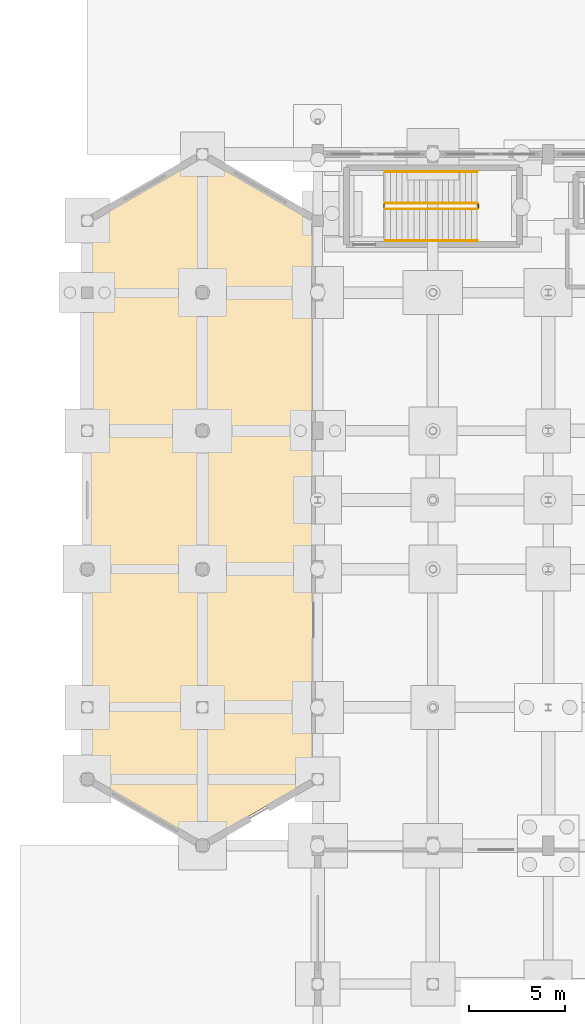
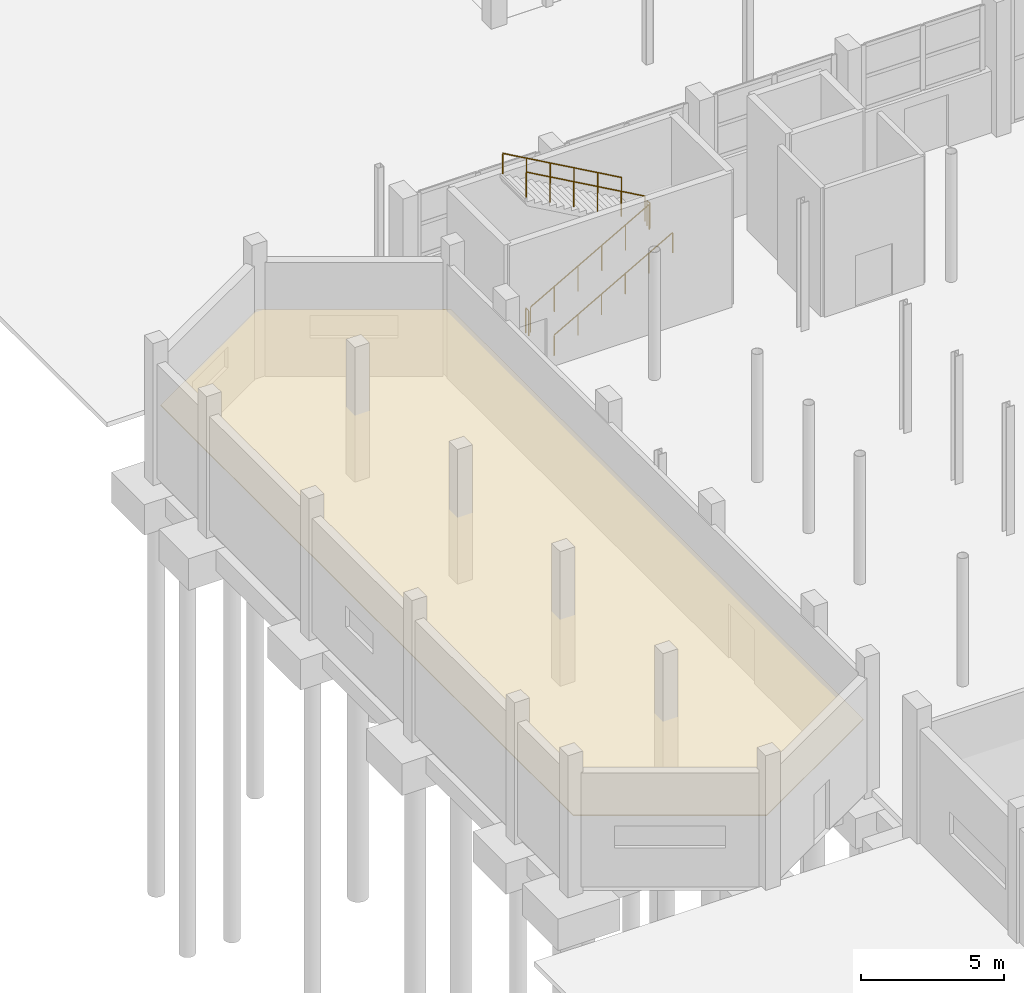
# One storey, part 95 of 103: 6 railings, 1 covering.
"""IFC4 building model written with IfcOpenShell, lengths in metres."""

import ifcopenshell
import ifcopenshell.guid

model = None  # the IFC model being written
_history = None  # IfcOwnerHistory: only IFC2X3 demands one
_inside = {}  # id of a spatial element -> (the spatial element, [elements in it])
_under = {}  # id of a project, library or spatial element -> (it, [spatial elements below it])
_declared = {}  # id of a project -> (the project, [libraries it declares])
_typed = {}  # id of a type object -> (the type object, [elements of that type])
_made_of = {}  # id of a material, layer set ... -> (it, [elements and type objects made of it])


def new_model(schema):
    """Start an empty IFC model of exactly this schema.

    Asked for "IFC4X3", IfcOpenShell would pick the latest addendum, in which some entities
    have other attributes; the version numbers below select the first issue.
    IFC2X3 requires an IfcOwnerHistory on every rooted entity: one is made here for all.
    """
    global model, _history
    if schema == "IFC4X3":
        model = ifcopenshell.file(schema_version=(4, 3, 0, 0))
    else:
        model = ifcopenshell.file(schema=schema)
    _inside.clear()
    _under.clear()
    _declared.clear()
    _typed.clear()
    _made_of.clear()
    _history = None
    if model.schema == "IFC2X3":
        org = make("IfcOrganization", Name="unknown")
        user = make(
            "IfcPersonAndOrganization",
            ThePerson=make("IfcPerson", FamilyName="unknown"),
            TheOrganization=org,
        )
        app = make(
            "IfcApplication",
            ApplicationDeveloper=org,
            Version="unknown",
            ApplicationFullName="unknown",
            ApplicationIdentifier="unknown",
        )
        _history = make(
            "IfcOwnerHistory",
            OwningUser=user,
            OwningApplication=app,
            ChangeAction="ADDED",
            CreationDate=0,
        )
    return model


def make(cls, **values):
    """One entity of the class cls with the attributes given. An attribute that is None is left unset."""
    return model.create_entity(
        cls, **{name: value for name, value in values.items() if value is not None}
    )


def rooted(cls, **values):
    """An entity with a GlobalId (a new one), such as an element, a storey or a relation."""
    return make(cls, GlobalId=ifcopenshell.guid.new(), OwnerHistory=_history, **values)


def si_unit(unit_type, name, prefix=None):
    """IfcSIUnit, for example si_unit("LENGTHUNIT", "METRE", prefix="MILLI")."""
    return make("IfcSIUnit", UnitType=unit_type, Prefix=prefix, Name=name)


def assignment(units):
    """IfcUnitAssignment: the units of a project."""
    return None if units is None else make("IfcUnitAssignment", Units=units)


def point(xyz):
    """IfcCartesianPoint."""
    return None if xyz is None else make("IfcCartesianPoint", Coordinates=xyz)


def direction(xyz):
    """IfcDirection."""
    return None if xyz is None else make("IfcDirection", DirectionRatios=xyz)


def frame(location, z_axis=None, x_axis=None):
    """IfcAxis2Placement3D, a coordinate frame: its origin and axes. An axis left out is left unset."""
    return make(
        "IfcAxis2Placement3D",
        Location=point(location),
        Axis=direction(z_axis),
        RefDirection=direction(x_axis),
    )


def frame_2d(location, x_axis=None):
    """IfcAxis2Placement2D, a coordinate frame in the plane: its origin and x axis."""
    return make(
        "IfcAxis2Placement2D", Location=point(location), RefDirection=direction(x_axis)
    )


def origin():
    """The frame at (0, 0, 0) with its axes left unset."""
    return frame((0.0, 0.0, 0.0))


def origin_2d():
    """The frame at (0, 0) in the plane with its x axis left unset."""
    return frame_2d((0.0, 0.0))


def place(relative_to, where):
    """IfcLocalPlacement: puts the frame where relative to a parent placement (None: the world)."""
    return make(
        "IfcLocalPlacement", PlacementRelTo=relative_to, RelativePlacement=where
    )


def context(
    kind, dimensions, precision=None, world=None, true_north=None, identifier=None
):
    """IfcGeometricRepresentationContext, for example the 3D "Model" context."""
    return make(
        "IfcGeometricRepresentationContext",
        ContextIdentifier=identifier,
        ContextType=kind,
        CoordinateSpaceDimension=dimensions,
        Precision=precision,
        WorldCoordinateSystem=world,
        TrueNorth=true_north,
    )


def subcontext(parent, identifier, kind, view, scale=None):
    """IfcGeometricRepresentationSubContext, for example "Body" below "Model"."""
    return make(
        "IfcGeometricRepresentationSubContext",
        ContextIdentifier=identifier,
        ContextType=kind,
        ParentContext=parent,
        TargetScale=scale,
        TargetView=view,
    )


def project(units=None, contexts=None):
    """IfcProject with its units and contexts."""
    return rooted(
        "IfcProject",
        Name="project",
        RepresentationContexts=contexts,
        UnitsInContext=assignment(units),
    )


def spatial(cls, under=None, at=None, **own):
    """A site, building, storey or space (cls), placed at a placement, below another one or the project."""
    s = rooted(cls, ObjectPlacement=at, **own)
    if under is not None:
        _under.setdefault(under.id(), (under, []))[1].append(s)
    return s


def polyline(points):
    """IfcPolyline through the points."""
    return make("IfcPolyline", Points=[point(p) for p in points])


def profile(cls, at=None, kind="AREA", **sizes):
    """A parametric profile (cls). Its sizes go by their IFC names, for example OverallWidth=200.0."""
    return make(cls, ProfileType=kind, Position=at, **sizes)


def circle(**sizes):
    """IfcCircleProfileDef."""
    return profile("IfcCircleProfileDef", **sizes)


def outline(outer, holes=None, kind="AREA"):
    """IfcArbitraryClosedProfileDef: a profile drawn as a closed curve; with holes, ...WithVoids."""
    if holes is None:
        return make("IfcArbitraryClosedProfileDef", ProfileType=kind, OuterCurve=outer)
    return make(
        "IfcArbitraryProfileDefWithVoids",
        ProfileType=kind,
        OuterCurve=outer,
        InnerCurves=holes,
    )


def extrude(swept, where, along, depth):
    """IfcExtrudedAreaSolid: the profile swept, set in the frame where, extruded along a direction by depth."""
    return make(
        "IfcExtrudedAreaSolid",
        SweptArea=swept,
        Position=where,
        ExtrudedDirection=direction(along),
        Depth=depth,
    )


def shape(context_of_items, identifier, shape_type, items):
    """IfcShapeRepresentation: the items that make up one representation, for example the "Body"."""
    return make(
        "IfcShapeRepresentation",
        ContextOfItems=context_of_items,
        RepresentationIdentifier=identifier,
        RepresentationType=shape_type,
        Items=items,
    )


def material(Name=None, Category=None):
    """IfcMaterial."""
    return make("IfcMaterial", Name=Name, Category=Category)


def layer(
    of_material, thickness, ventilated=None, Name=None, Category=None, Priority=None
):
    """IfcMaterialLayer: one layer of a wall or slab, of a material (None: an air gap)."""
    return make(
        "IfcMaterialLayer",
        Material=of_material,
        LayerThickness=thickness,
        IsVentilated=ventilated,
        Name=Name,
        Category=Category,
        Priority=Priority,
    )


def layer_set(layers, Name=None):
    """IfcMaterialLayerSet."""
    return make("IfcMaterialLayerSet", MaterialLayers=layers, LayerSetName=Name)


def made_of(thing, what):
    """Note that an element or type object is made of a material, layer set ...; save() writes the relation."""
    if what is not None:
        _made_of.setdefault(what.id(), (what, []))[1].append(thing)
    return thing


def type_object(cls, material=None, **own):
    """A type object (cls), such as IfcWallType, which elements share."""
    return made_of(rooted(cls, **own), material)


def element(
    cls,
    number,
    at=None,
    inside=None,
    cuts=None,
    type_object=None,
    material=None,
    context=None,
    identifier="Body",
    shape_type=None,
    held_by="IfcProductDefinitionShape",
    body=None,
    shapes=None,
    **own,
):
    """One element of the class cls, such as IfcWall. Its Tag is "e" and its number.

    at: its placement. inside: the storey or other place that contains it. cuts: it is an
    opening in that element (IfcRelVoidsElement). A single representation is given by context,
    identifier, shape_type and body (its items); several are given by shapes. held_by: the class
    of the entity that holds the representations. save() writes the other relations.
    """
    e = rooted(cls, Tag="e%d" % number, ObjectPlacement=at, **own)
    if body is not None:
        shapes = [shape(context, identifier, shape_type, body)]
    if shapes is not None:
        e.Representation = make(held_by, Representations=shapes)
    if inside is not None:
        _inside.setdefault(inside.id(), (inside, []))[1].append(e)
    if cuts is not None:
        rooted(
            "IfcRelVoidsElement", RelatingBuildingElement=cuts, RelatedOpeningElement=e
        )
    if type_object is not None:
        _typed.setdefault(type_object.id(), (type_object, []))[1].append(e)
    return made_of(e, material)


def aggregate(whole, parts):
    """IfcRelAggregates: a whole, such as a stair, and the parts it consists of."""
    return rooted("IfcRelAggregates", RelatingObject=whole, RelatedObjects=parts)


def save(model, path):
    """Write the relations noted so far, then the file.

    IfcRelAggregates (storeys below a building ...), IfcRelContainedInSpatialStructure (elements
    in a storey), IfcRelDefinesByType, IfcRelAssociatesMaterial and IfcRelDeclares: one each for
    every whole, place, type object, material and project.
    """
    for whole, parts in _under.values():
        aggregate(whole, parts)
    for where, things in _inside.values():
        rooted(
            "IfcRelContainedInSpatialStructure",
            RelatedElements=things,
            RelatingStructure=where,
        )
    for kind, things in _typed.values():
        rooted("IfcRelDefinesByType", RelatedObjects=things, RelatingType=kind)
    for what, things in _made_of.values():
        rooted("IfcRelAssociatesMaterial", RelatedObjects=things, RelatingMaterial=what)
    for by, libraries in _declared.values():
        rooted("IfcRelDeclares", RelatingContext=by, RelatedDefinitions=libraries)
    model.write(path)


model = new_model("IFC4")

# Units and contexts
model_context = context("Model", 3, precision=1e-05, world=origin(), true_north=direction((0.0, 1.0)))
body_context = subcontext(model_context, "Body", "Model", "MODEL_VIEW")
ifc_project = project(units=[si_unit("LENGTHUNIT", "METRE"), si_unit("AREAUNIT", "SQUARE_METRE"), si_unit("VOLUMEUNIT", "CUBIC_METRE"), si_unit("PLANEANGLEUNIT", "RADIAN"), si_unit("MASSUNIT", "GRAM", prefix="KILO")], contexts=[model_context])

# Site, building, storey
site_placement = place(None, origin())
site = spatial("IfcSite", under=ifc_project, at=site_placement, CompositionType="ELEMENT")
building_placement = place(site_placement, origin())
building = spatial("IfcBuilding", under=site, at=building_placement, Name="Dunvalen Ferry Terminal", CompositionType="ELEMENT")
storey_placement = place(building_placement, origin())
storey = spatial("IfcBuildingStorey", under=building, at=storey_placement, Name="L00", CompositionType="ELEMENT", Elevation=0.0)

# Covering
ifc_material_1 = material(Name="Perforated marine aluminium acoustic baffle ceiling", Category="aluminium")
ifc_layer = layer(ifc_material_1, 0.0400390625, Name="Perforated marine aluminium acoustic baffle ceiling")
ifc_layer_set = layer_set([ifc_layer], Name="Perforated marine aluminium acoustic baffle ceiling")
covering_type = type_object("IfcCoveringType", Name="INT-COV-CLG01", PredefinedType="CEILING", material=ifc_layer_set)
covering_placement = place(storey_placement, frame((0.0, 0.0, 2.81005859375)))
element("IfcCovering", 1, at=covering_placement, inside=storey, type_object=covering_type, Name="L00 Outbound Baggage Handling Hall Acoustic Suspended Ceiling", PredefinedType="CEILING", context=body_context, shape_type="SweptSolid", body=[
    extrude(outline(polyline([(11.8701171875, 82.86083984375), (6.0, 86.25), (0.1298828125, 82.86083984375), (0.1298828125, 53.939208984375), (6.0, 50.550048828125), (11.8701171875, 53.939208984375), (11.8701171875, 82.86083984375)])), origin(), (0.0, 0.0, 1.0), 0.0400390625),
])

# Railings
ifc_material_2 = material(Name="Painted galvanised steel S275", Category="steel")
railing_type_1 = type_object("IfcRailingType", Name="INT-RL-STGRD", PredefinedType="GUARDRAIL", material=ifc_material_2)
railing_1_placement = place(storey_placement, frame((15.5, 83.550048828125, 0.16943359375)))
element("IfcRailing", 2, at=railing_1_placement, inside=storey, type_object=railing_type_1, Name="L00 ST7 stair guard 1", PredefinedType="GUARDRAIL", context=body_context, shape_type="SweptSolid", body=[
    extrude(circle(Radius=0.02392578125, at=origin_2d()), frame((0.0, 0.0, 1.076171875), z_axis=(0.870766506294, 0.0, 0.491696747514), x_axis=(0.0, 1.0, 0.0)), (0.0, 0.0, 1.0), 5.512451171875),
    extrude(circle(Radius=0.02099609375, at=origin_2d()), origin(), (0.0, 0.0, 1.0), 1.052001953125),
    extrude(circle(Radius=0.02099609375, at=origin_2d()), frame((0.9599609375, 0.0, 0.5419921875)), (0.0, 0.0, 1.0), 1.052001953125),
    extrude(circle(Radius=0.02099609375, at=origin_2d()), frame((1.919921875, 0.0, 1.084228515625)), (0.0, 0.0, 1.0), 1.052001953125),
    extrude(circle(Radius=0.02099609375, at=origin_2d()), frame((2.880126953125, 0.0, 1.626220703125)), (0.0, 0.0, 1.0), 1.052001953125),
    extrude(circle(Radius=0.02099609375, at=origin_2d()), frame((3.840087890625, 0.0, 2.16845703125)), (0.0, 0.0, 1.0), 1.052001953125),
    extrude(circle(Radius=0.02099609375, at=origin_2d()), frame((4.800048828125, 0.0, 2.71044921875)), (0.0, 0.0, 1.0), 1.052001953125),
])
railing_2_placement = place(storey_placement, frame((20.35009765625, 83.60009765625, 2.8798828125)))
element("IfcRailing", 3, at=railing_2_placement, inside=storey, type_object=railing_type_1, Name="L00 ST7 stair guard 2", PredefinedType="GUARDRAIL", context=body_context, shape_type="SweptSolid", body=[
    extrude(circle(Radius=0.02392578125, at=origin_2d()), frame((0.0, 0.0, 1.076171875), z_axis=(0.0, 1.0, 0.0), x_axis=(-1.0, 0.0, 0.0)), (0.0, 0.0, 1.0), 0.199951171875),
    extrude(circle(Radius=0.02099609375, at=origin_2d()), origin(), (0.0, 0.0, 1.0), 1.052001953125),
    extrude(circle(Radius=0.02099609375, at=origin_2d()), frame((0.0, 0.199951171875, 0.0)), (0.0, 0.0, 1.0), 1.052001953125),
])
railing_3_placement = place(storey_placement, frame((20.300048828125, 83.85009765625, 3.04931640625)))
element("IfcRailing", 4, at=railing_3_placement, inside=storey, type_object=railing_type_1, Name="L00 ST7 stair guard 3", PredefinedType="GUARDRAIL", context=body_context, shape_type="SweptSolid", body=[
    extrude(circle(Radius=0.02392578125, at=origin_2d()), frame((0.0, 0.0, 1.076171875), z_axis=(-0.870747543578, 0.0, 0.491730327875), x_axis=(0.0, -1.0, 0.0)), (0.0, 0.0, 1.0), 5.512451171875),
    extrude(circle(Radius=0.02099609375, at=origin_2d()), origin(), (0.0, 0.0, 1.0), 1.052001953125),
    extrude(circle(Radius=0.02099609375, at=origin_2d()), frame((-0.9599609375, 0.0, 0.542236328125)), (0.0, 0.0, 1.0), 1.052001953125),
    extrude(circle(Radius=0.02099609375, at=origin_2d()), frame((-1.919921875, 0.0, 1.084228515625)), (0.0, 0.0, 1.0), 1.052001953125),
    extrude(circle(Radius=0.02099609375, at=origin_2d()), frame((-2.880126953125, 0.0, 1.62646484375)), (0.0, 0.0, 1.0), 1.052001953125),
    extrude(circle(Radius=0.02099609375, at=origin_2d()), frame((-3.840087890625, 0.0, 2.16845703125)), (0.0, 0.0, 1.0), 1.052001953125),
    extrude(circle(Radius=0.02099609375, at=origin_2d()), frame((-4.800048828125, 0.0, 2.710693359375)), (0.0, 0.0, 1.0), 1.052001953125),
])
railing_4_placement = place(storey_placement, frame((15.449951171875, 83.60009765625, 0.0)))
element("IfcRailing", 5, at=railing_4_placement, inside=storey, type_object=railing_type_1, Name="L00 ST7 stair guard 4", PredefinedType="GUARDRAIL", context=body_context, shape_type="SweptSolid", body=[
    extrude(circle(Radius=0.02392578125, at=origin_2d()), frame((0.0, 0.0, 1.076171875), z_axis=(0.0, 1.0, 0.0), x_axis=(-1.0, 0.0, 0.0)), (0.0, 0.0, 1.0), 0.199951171875),
    extrude(circle(Radius=0.02099609375, at=origin_2d()), origin(), (0.0, 0.0, 1.0), 1.052001953125),
    extrude(circle(Radius=0.02099609375, at=origin_2d()), frame((0.0, 0.199951171875, 0.0)), (0.0, 0.0, 1.0), 1.052001953125),
])
ifc_material_3 = material(Name="Brushed 316 stainless steel", Category="steel")
railing_type_2 = type_object("IfcRailingType", Name="INT-RL-STHND", PredefinedType="HANDRAIL", material=ifc_material_3)
railing_5_placement = place(storey_placement, frame((15.5, 81.89990234375, 0.16943359375)))
element("IfcRailing", 6, at=railing_5_placement, inside=storey, type_object=railing_type_2, Name="L00 ST7 stair handrail 1", PredefinedType="HANDRAIL", context=body_context, shape_type="SweptSolid", body=[
    extrude(circle(Radius=0.02392578125, at=origin_2d()), frame((0.0, 0.0, 0.8759765625), z_axis=(0.870766506294, 0.0, 0.491696747514), x_axis=(0.0, 1.0, 0.0)), (0.0, 0.0, 1.0), 5.512451171875),
    extrude(circle(Radius=0.02099609375, at=origin_2d()), origin(), (0.0, 0.0, 1.0), 0.851806640625),
    extrude(circle(Radius=0.02099609375, at=origin_2d()), frame((0.9599609375, 0.0, 0.5419921875)), (0.0, 0.0, 1.0), 0.851806640625),
    extrude(circle(Radius=0.02099609375, at=origin_2d()), frame((1.919921875, 0.0, 1.084228515625)), (0.0, 0.0, 1.0), 0.851806640625),
    extrude(circle(Radius=0.02099609375, at=origin_2d()), frame((2.880126953125, 0.0, 1.626220703125)), (0.0, 0.0, 1.0), 0.851806640625),
    extrude(circle(Radius=0.02099609375, at=origin_2d()), frame((3.840087890625, 0.0, 2.16845703125)), (0.0, 0.0, 1.0), 0.851806640625),
    extrude(circle(Radius=0.02099609375, at=origin_2d()), frame((4.800048828125, 0.0, 2.71044921875)), (0.0, 0.0, 1.0), 0.851806640625),
])
railing_6_placement = place(storey_placement, frame((20.300048828125, 85.5, 3.04931640625)))
element("IfcRailing", 7, at=railing_6_placement, inside=storey, type_object=railing_type_2, Name="L00 ST7 stair handrail 2", PredefinedType="HANDRAIL", context=body_context, shape_type="SweptSolid", body=[
    extrude(circle(Radius=0.02392578125, at=origin_2d()), frame((0.0, 0.0, 0.8759765625), z_axis=(-0.870747543578, 0.0, 0.491730327875), x_axis=(0.0, -1.0, 0.0)), (0.0, 0.0, 1.0), 5.512451171875),
    extrude(circle(Radius=0.02099609375, at=origin_2d()), origin(), (0.0, 0.0, 1.0), 0.851806640625),
    extrude(circle(Radius=0.02099609375, at=origin_2d()), frame((-0.9599609375, 0.0, 0.542236328125)), (0.0, 0.0, 1.0), 0.851806640625),
    extrude(circle(Radius=0.02099609375, at=origin_2d()), frame((-1.919921875, 0.0, 1.084228515625)), (0.0, 0.0, 1.0), 0.851806640625),
    extrude(circle(Radius=0.02099609375, at=origin_2d()), frame((-2.880126953125, 0.0, 1.62646484375)), (0.0, 0.0, 1.0), 0.851806640625),
    extrude(circle(Radius=0.02099609375, at=origin_2d()), frame((-3.840087890625, 0.0, 2.16845703125)), (0.0, 0.0, 1.0), 0.851806640625),
    extrude(circle(Radius=0.02099609375, at=origin_2d()), frame((-4.800048828125, 0.0, 2.710693359375)), (0.0, 0.0, 1.0), 0.851806640625),
])

save(model, "model.ifc")
